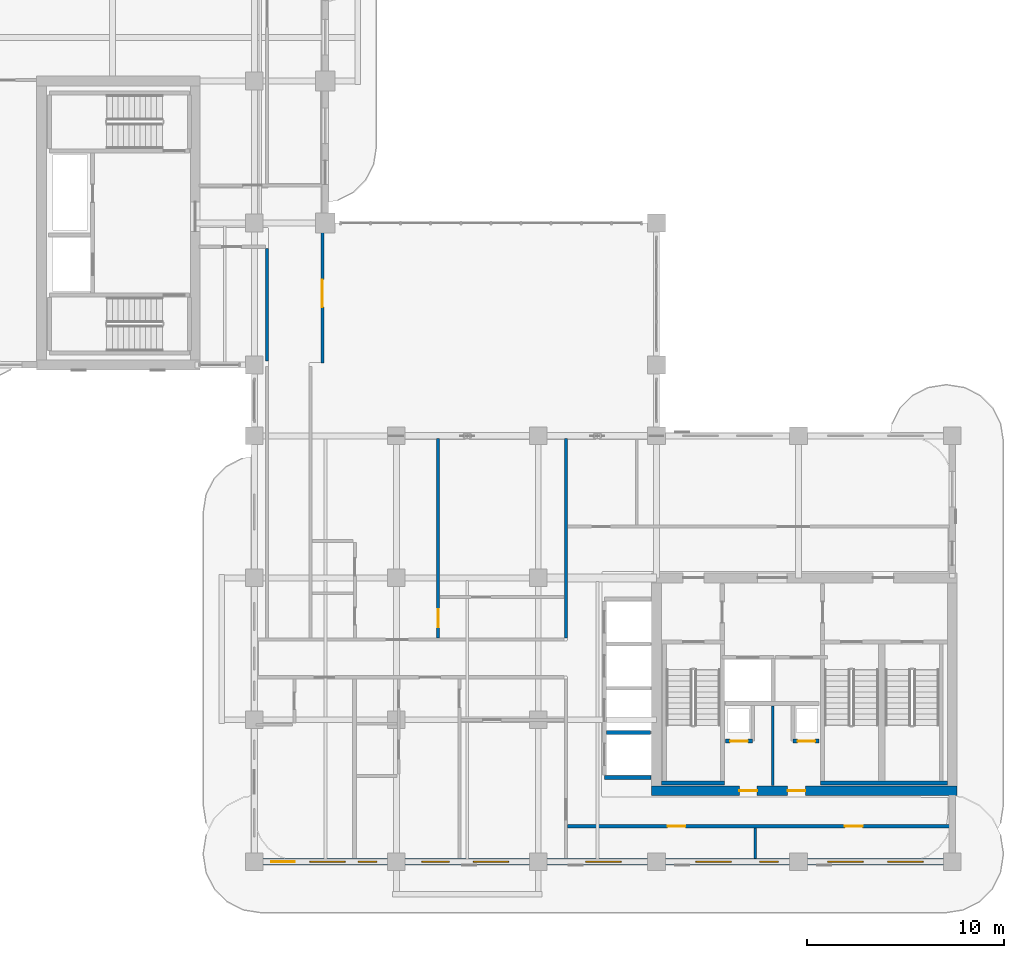
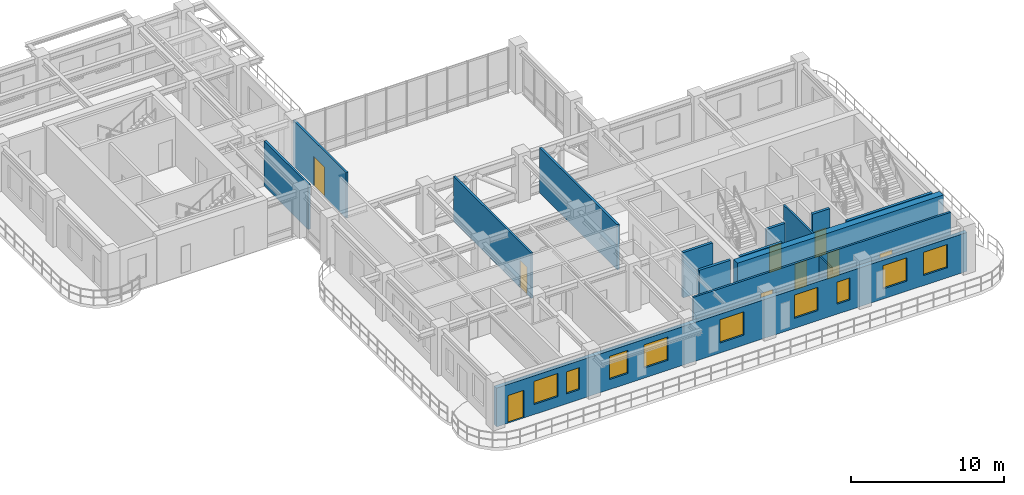
# One storey, part 11 of 19: 15 walls, 9 doors, 9 windows, 18 openings.
"""IFC4 building model written with IfcOpenShell, lengths in metres."""

from ifc_helpers import new_model, si_unit, derived_unit, direction, frame, frame_2d, origin, place, context, subcontext, project, spatial, rectangle, extrude, source, transform, mapped, material, layer, layer_set, type_object, type_shapes, element, fill, save


model = new_model("IFC4")

# Units and contexts
model_context = context("Model", 3, precision=1e-05, world=origin(), true_north=direction((0.0, 1.0)))
body_context = subcontext(model_context, "Body", "Model", "MODEL_VIEW")
ifc_project = project(units=[si_unit("LENGTHUNIT", "METRE"), si_unit("AREAUNIT", "SQUARE_METRE"), si_unit("VOLUMEUNIT", "CUBIC_METRE"), si_unit("PLANEANGLEUNIT", "RADIAN"), si_unit("MASSUNIT", "GRAM", prefix="KILO"), si_unit("THERMODYNAMICTEMPERATUREUNIT", "KELVIN"), si_unit("POWERUNIT", "WATT"), derived_unit("THERMALTRANSMITTANCEUNIT", [(si_unit("POWERUNIT", "WATT"), 1), (si_unit("AREAUNIT", "SQUARE_METRE"), -1), (si_unit("THERMODYNAMICTEMPERATUREUNIT", "KELVIN"), -1)])], contexts=[model_context])

# Site, building, storey
site_placement = place(None, origin())
site = spatial("IfcSite", under=ifc_project, at=site_placement, CompositionType="ELEMENT")
building_placement = place(site_placement, origin())
building = spatial("IfcBuilding", under=site, at=building_placement, Name="Zahravan Archway Hotel and Residences", CompositionType="ELEMENT")
storey_placement = place(building_placement, frame((0.0, 0.0, 201.89990234375)))
storey = spatial("IfcBuildingStorey", under=building, at=storey_placement, Name="L50", CompositionType="ELEMENT", Elevation=201.89990234375)

# Wall, openings, doors
ifc_material_1 = material(Name="Concrete C60/75", Category="concrete")
ifc_layer_1 = layer(ifc_material_1, 0.5, Name="Concrete C60/75", Category="concrete")
ifc_layer_set_1 = layer_set([ifc_layer_1], Name="Concrete C60/75")
wall_type_1 = type_object("IfcWallType", Name="CW-CORE-500", PredefinedType="SHEAR", material=ifc_layer_set_1)
wall_1_placement = place(storey_placement, frame((34.550048828125, 3.60009765625, 0.0), z_axis=(0.0, 0.0, 1.0), x_axis=(1.0, 0.0, 0.0)))
wall_1 = element("IfcWall", 1, at=wall_1_placement, inside=storey, type_object=wall_type_1, Name="L50 Core A Shear S Wall 500 mm", PredefinedType="SHEAR", context=body_context, shape_type="SweptSolid", body=[
    extrude(rectangle(XDim=15.5, YDim=0.5, at=frame_2d((7.75, 0.0))), origin(), (0.0, 0.0, 1.0), 3.85009765625),
])
opening_1_placement = place(wall_1_placement, frame((4.449951171875, 0.0, 0.0)))
opening_1 = element("IfcOpeningElement", 2, at=opening_1_placement, cuts=wall_1, Name="Opening FD-R1", PredefinedType="OPENING", context=body_context, shape_type="SweptSolid", body=[
    extrude(rectangle(XDim=0.89990234375, YDim=2.10009765625, at=frame_2d((0.449951171875, 1.050048828125))), frame((0.0, 0.260009765625, 0.0), z_axis=(0.0, -1.0, 0.0), x_axis=(1.0, 0.0, 0.0)), (0.0, 0.0, 1.0), 0.52001953125),
])
opening_2_placement = place(wall_1_placement, frame((6.89990234375, 0.0, 0.0)))
opening_2 = element("IfcOpeningElement", 3, at=opening_2_placement, cuts=wall_1, Name="Opening FD-R1", PredefinedType="OPENING", context=body_context, shape_type="SweptSolid", body=[
    extrude(rectangle(XDim=0.89990234375, YDim=2.10009765625, at=frame_2d((0.449951171875, 1.050048828125))), frame((0.0, 0.260009765625, 0.0), z_axis=(0.0, -1.0, 0.0), x_axis=(1.0, 0.0, 0.0)), (0.0, 0.0, 1.0), 0.52001953125),
])
ifc_material_2 = material(Name="Fire-Rated Painted Steel", Category="steel")
door_type_1 = type_object("IfcDoorType", Name="FD-RISER-900", OperationType="NOTDEFINED", PredefinedType="DOOR", material=ifc_material_2)
shared_shape_1 = source(origin(), body_context, "Body", "SweptSolid", [
    extrude(rectangle(XDim=0.89990234375, YDim=2.10009765625, at=frame_2d((0.449951171875, 1.050048828125))), frame((0.0, 0.02490234375, 0.0), z_axis=(0.0, -1.0, 0.0), x_axis=(1.0, 0.0, 0.0)), (0.0, 0.0, 1.0), 0.050048828125),
])
type_shapes(door_type_1, [shared_shape_1])
door_1_placement = place(opening_1_placement, origin())
door_1 = element("IfcDoor", 4, at=door_1_placement, inside=storey, type_object=door_type_1, Name="L50 Electrical Switchgear Door", OperationType="SINGLE_SWING_LEFT", OverallHeight=2.10009765625, OverallWidth=0.89990234375, PredefinedType="DOOR", context=body_context, shape_type="MappedRepresentation", body=[
    mapped(shared_shape_1, transform((0.0, 0.0, 0.0), scale=1.0)),
])
fill(opening_1, door_1)
door_2_placement = place(opening_2_placement, origin())
door_2 = element("IfcDoor", 5, at=door_2_placement, inside=storey, type_object=door_type_1, Name="L50 Telecom BMS Door", OperationType="SINGLE_SWING_RIGHT", OverallHeight=2.10009765625, OverallWidth=0.89990234375, PredefinedType="DOOR", context=body_context, shape_type="MappedRepresentation", body=[
    mapped(shared_shape_1, transform((0.0, 0.0, 0.0), scale=1.0)),
])
fill(opening_2, door_2)

# Wall, openings, door, windows
ifc_material_3 = material(Name="Agra Buff Sandstone & Insulated Backup", Category="masonry")
ifc_layer_2 = layer(ifc_material_3, 0.320068359375, Name="Agra Buff Sandstone & Insulated Backup", Category="masonry")
ifc_layer_set_2 = layer_set([ifc_layer_2], Name="Agra Buff Sandstone & Insulated Backup")
wall_type_2 = type_object("IfcWallType", Name="EW-SAND-320", PredefinedType="SOLIDWALL", material=ifc_layer_set_2)
wall_2_placement = place(storey_placement, frame((14.39990234375, 0.0, 0.0), z_axis=(0.0, 0.0, 1.0), x_axis=(1.0, 0.0, 0.0)))
wall_2 = element("IfcWall", 6, at=wall_2_placement, inside=storey, type_object=wall_type_2, Name="L50 Exterior Sandstone Wall WA-S", PredefinedType="SOLIDWALL", context=body_context, shape_type="SweptSolid", body=[
    extrude(rectangle(XDim=35.400146484375, YDim=0.320068359375, at=frame_2d((17.7001953125, 0.0))), origin(), (0.0, 0.0, 1.0), 3.085205078125),
])
opening_3_placement = place(wall_2_placement, frame((0.85009765625, 0.0, 0.0)))
opening_3 = element("IfcOpeningElement", 7, at=opening_3_placement, cuts=wall_2, Name="Opening ED-BL1", PredefinedType="OPENING", context=body_context, shape_type="SweptSolid", body=[
    extrude(rectangle(XDim=1.199951171875, YDim=2.199951171875, at=frame_2d((0.60009765625, 1.10009765625))), frame((0.0, 0.169921875, 0.0), z_axis=(0.0, -1.0, 0.0), x_axis=(1.0, 0.0, 0.0)), (0.0, 0.0, 1.0), 0.340087890625),
])
opening_4_placement = place(wall_2_placement, frame((2.81103515625, 0.0, 0.800048828125)))
opening_4 = element("IfcOpeningElement", 8, at=opening_4_placement, cuts=wall_2, Name="Opening W-02", PredefinedType="OPENING", context=body_context, shape_type="SweptSolid", body=[
    extrude(rectangle(XDim=1.800048828125, YDim=1.85009765625, at=frame_2d((0.89990234375, 0.925048828125))), frame((0.0, 0.169921875, 0.0), z_axis=(0.0, -1.0, 0.0), x_axis=(1.0, 0.0, 0.0)), (0.0, 0.0, 1.0), 0.340087890625),
])
opening_5_placement = place(wall_2_placement, frame((5.26904296875, 0.0, 0.800048828125)))
opening_5 = element("IfcOpeningElement", 9, at=opening_5_placement, cuts=wall_2, Name="Opening W-04", PredefinedType="OPENING", context=body_context, shape_type="SweptSolid", body=[
    extrude(rectangle(XDim=0.949951171875, YDim=1.75, at=frame_2d((0.47509765625, 0.875))), frame((0.0, 0.169921875, 0.0), z_axis=(0.0, -1.0, 0.0), x_axis=(1.0, 0.0, 0.0)), (0.0, 0.0, 1.0), 0.340087890625),
])
opening_6_placement = place(wall_2_placement, frame((8.49609375, 0.0, 0.800048828125)))
opening_6 = element("IfcOpeningElement", 10, at=opening_6_placement, cuts=wall_2, Name="Opening W-03", PredefinedType="OPENING", context=body_context, shape_type="SweptSolid", body=[
    extrude(rectangle(XDim=1.39990234375, YDim=1.85009765625, at=frame_2d((0.699951171875, 0.925048828125))), frame((0.0, 0.169921875, 0.0), z_axis=(0.0, -1.0, 0.0), x_axis=(1.0, 0.0, 0.0)), (0.0, 0.0, 1.0), 0.340087890625),
])
opening_7_placement = place(wall_2_placement, frame((11.10400390625, 0.0, 0.800048828125)))
opening_7 = element("IfcOpeningElement", 11, at=opening_7_placement, cuts=wall_2, Name="Opening W-02", PredefinedType="OPENING", context=body_context, shape_type="SweptSolid", body=[
    extrude(rectangle(XDim=1.800048828125, YDim=1.85009765625, at=frame_2d((0.89990234375, 0.925048828125))), frame((0.0, 0.169921875, 0.0), z_axis=(0.0, -1.0, 0.0), x_axis=(1.0, 0.0, 0.0)), (0.0, 0.0, 1.0), 0.340087890625),
])
opening_8_placement = place(wall_2_placement, frame((16.803955078125, 0.0, 0.800048828125)))
opening_8 = element("IfcOpeningElement", 12, at=opening_8_placement, cuts=wall_2, Name="Opening W-02", PredefinedType="OPENING", context=body_context, shape_type="SweptSolid", body=[
    extrude(rectangle(XDim=1.800048828125, YDim=1.85009765625, at=frame_2d((0.89990234375, 0.925048828125))), frame((0.0, 0.169921875, 0.0), z_axis=(0.0, -1.0, 0.0), x_axis=(1.0, 0.0, 0.0)), (0.0, 0.0, 1.0), 0.340087890625),
])
opening_9_placement = place(wall_2_placement, frame((22.39599609375, 0.0, 0.800048828125)))
opening_9 = element("IfcOpeningElement", 13, at=opening_9_placement, cuts=wall_2, Name="Opening W-02", PredefinedType="OPENING", context=body_context, shape_type="SweptSolid", body=[
    extrude(rectangle(XDim=1.800048828125, YDim=1.85009765625, at=frame_2d((0.89990234375, 0.925048828125))), frame((0.0, 0.169921875, 0.0), z_axis=(0.0, -1.0, 0.0), x_axis=(1.0, 0.0, 0.0)), (0.0, 0.0, 1.0), 0.340087890625),
])
opening_10_placement = place(wall_2_placement, frame((25.62890625, 0.0, 0.800048828125)))
opening_10 = element("IfcOpeningElement", 14, at=opening_10_placement, cuts=wall_2, Name="Opening W-04", PredefinedType="OPENING", context=body_context, shape_type="SweptSolid", body=[
    extrude(rectangle(XDim=0.949951171875, YDim=1.75, at=frame_2d((0.47509765625, 0.875))), frame((0.0, 0.169921875, 0.0), z_axis=(0.0, -1.0, 0.0), x_axis=(1.0, 0.0, 0.0)), (0.0, 0.0, 1.0), 0.340087890625),
])
opening_11_placement = place(wall_2_placement, frame((29.074951171875, 0.0, 0.800048828125)))
opening_11 = element("IfcOpeningElement", 15, at=opening_11_placement, cuts=wall_2, Name="Opening W-02", PredefinedType="OPENING", context=body_context, shape_type="SweptSolid", body=[
    extrude(rectangle(XDim=1.800048828125, YDim=1.85009765625, at=frame_2d((0.89990234375, 0.925048828125))), frame((0.0, 0.169921875, 0.0), z_axis=(0.0, -1.0, 0.0), x_axis=(1.0, 0.0, 0.0)), (0.0, 0.0, 1.0), 0.340087890625),
])
opening_12_placement = place(wall_2_placement, frame((32.125, 0.0, 0.800048828125)))
opening_12 = element("IfcOpeningElement", 16, at=opening_12_placement, cuts=wall_2, Name="Opening W-02", PredefinedType="OPENING", context=body_context, shape_type="SweptSolid", body=[
    extrude(rectangle(XDim=1.800048828125, YDim=1.85009765625, at=frame_2d((0.89990234375, 0.925048828125))), frame((0.0, 0.169921875, 0.0), z_axis=(0.0, -1.0, 0.0), x_axis=(1.0, 0.0, 0.0)), (0.0, 0.0, 1.0), 0.340087890625),
])
ifc_material_4 = material(Name="Bronze-Anodized Glazed Aluminium", Category="aluminium")
door_type_2 = type_object("IfcDoorType", Name="ED-BALC-1200", OperationType="SLIDING_TO_LEFT", PredefinedType="DOOR", material=ifc_material_4)
shared_shape_2 = source(origin(), body_context, "Body", "SweptSolid", [
    extrude(rectangle(XDim=1.199951171875, YDim=2.199951171875, at=frame_2d((0.60009765625, 1.10009765625))), frame((0.0, 0.02490234375, 0.0), z_axis=(0.0, -1.0, 0.0), x_axis=(1.0, 0.0, 0.0)), (0.0, 0.0, 1.0), 0.050048828125),
])
type_shapes(door_type_2, [shared_shape_2])
door_3_placement = place(opening_3_placement, origin())
door_3 = element("IfcDoor", 17, at=door_3_placement, inside=storey, type_object=door_type_2, Name="L50 Outdoor Access Sliding Door (SLB-BAL-L50-SA)", OperationType="SLIDING_TO_LEFT", OverallHeight=2.199951171875, OverallWidth=1.199951171875, PredefinedType="DOOR", context=body_context, shape_type="MappedRepresentation", body=[
    mapped(shared_shape_2, transform((0.0, 0.0, 0.0), scale=1.0)),
])
fill(opening_3, door_3)
ifc_material_5 = material(Name="Bronze-Anodized Thermal-Break Aluminium & Low-E Glass", Category="aluminium")
window_type_1 = type_object("IfcWindowType", Name="WIN-TWR-1400", PartitioningType="SINGLE_PANEL", PredefinedType="WINDOW", material=ifc_material_5)
shared_shape_3 = source(origin(), body_context, "Body", "SweptSolid", [
    extrude(rectangle(XDim=1.39990234375, YDim=1.85009765625, at=frame_2d((0.699951171875, 0.925048828125))), frame((0.0, 0.030029296875, 0.0), z_axis=(0.0, -1.0, 0.0), x_axis=(1.0, 0.0, 0.0)), (0.0, 0.0, 1.0), 0.06005859375),
])
type_shapes(window_type_1, [shared_shape_3])
window_1_placement = place(opening_6_placement, origin())
window_1 = element("IfcWindow", 18, at=window_1_placement, inside=storey, type_object=window_type_1, Name="L50 Loggia Window 03", OverallHeight=1.85009765625, OverallWidth=1.39990234375, PartitioningType="SINGLE_PANEL", PredefinedType="WINDOW", context=body_context, shape_type="MappedRepresentation", body=[
    mapped(shared_shape_3, transform((0.0, 0.0, 0.0), scale=1.0)),
])
fill(opening_6, window_1)
window_type_2 = type_object("IfcWindowType", Name="WIN-NAR-950", PartitioningType="SINGLE_PANEL", PredefinedType="WINDOW", material=ifc_material_5)
shared_shape_4 = source(origin(), body_context, "Body", "SweptSolid", [
    extrude(rectangle(XDim=0.949951171875, YDim=1.75, at=frame_2d((0.47509765625, 0.875))), frame((0.0, 0.030029296875, 0.0), z_axis=(0.0, -1.0, 0.0), x_axis=(1.0, 0.0, 0.0)), (0.0, 0.0, 1.0), 0.06005859375),
])
type_shapes(window_type_2, [shared_shape_4])
window_2_placement = place(opening_5_placement, origin())
window_2 = element("IfcWindow", 19, at=window_2_placement, inside=storey, type_object=window_type_2, Name="L50 Loggia Window 02", OverallHeight=1.75, OverallWidth=0.949951171875, PartitioningType="SINGLE_PANEL", PredefinedType="WINDOW", context=body_context, shape_type="MappedRepresentation", body=[
    mapped(shared_shape_4, transform((0.0, 0.0, 0.0), scale=1.0)),
])
fill(opening_5, window_2)
window_3_placement = place(opening_10_placement, origin())
window_3 = element("IfcWindow", 20, at=window_3_placement, inside=storey, type_object=window_type_2, Name="L50 Loggia Window 07", OverallHeight=1.75, OverallWidth=0.949951171875, PartitioningType="SINGLE_PANEL", PredefinedType="WINDOW", context=body_context, shape_type="MappedRepresentation", body=[
    mapped(shared_shape_4, transform((0.0, 0.0, 0.0), scale=1.0)),
])
fill(opening_10, window_3)
window_type_3 = type_object("IfcWindowType", Name="WIN-TWR-1800", PartitioningType="DOUBLE_PANEL_VERTICAL", PredefinedType="WINDOW", material=ifc_material_5)
shared_shape_5 = source(origin(), body_context, "Body", "SweptSolid", [
    extrude(rectangle(XDim=1.800048828125, YDim=1.85009765625, at=frame_2d((0.89990234375, 0.925048828125))), frame((0.0, 0.030029296875, 0.0), z_axis=(0.0, -1.0, 0.0), x_axis=(1.0, 0.0, 0.0)), (0.0, 0.0, 1.0), 0.06005859375),
])
type_shapes(window_type_3, [shared_shape_5])
window_4_placement = place(opening_4_placement, origin())
window_4 = element("IfcWindow", 21, at=window_4_placement, inside=storey, type_object=window_type_3, Name="L50 Loggia Window 01", OverallHeight=1.85009765625, OverallWidth=1.800048828125, PartitioningType="DOUBLE_PANEL_VERTICAL", PredefinedType="WINDOW", context=body_context, shape_type="MappedRepresentation", body=[
    mapped(shared_shape_5, transform((0.0, 0.0, 0.0), scale=1.0)),
])
fill(opening_4, window_4)
window_5_placement = place(opening_7_placement, origin())
window_5 = element("IfcWindow", 22, at=window_5_placement, inside=storey, type_object=window_type_3, Name="L50 Loggia Window 04", OverallHeight=1.85009765625, OverallWidth=1.800048828125, PartitioningType="DOUBLE_PANEL_VERTICAL", PredefinedType="WINDOW", context=body_context, shape_type="MappedRepresentation", body=[
    mapped(shared_shape_5, transform((0.0, 0.0, 0.0), scale=1.0)),
])
fill(opening_7, window_5)
window_6_placement = place(opening_8_placement, origin())
window_6 = element("IfcWindow", 23, at=window_6_placement, inside=storey, type_object=window_type_3, Name="L50 Loggia Window 05", OverallHeight=1.85009765625, OverallWidth=1.800048828125, PartitioningType="DOUBLE_PANEL_VERTICAL", PredefinedType="WINDOW", context=body_context, shape_type="MappedRepresentation", body=[
    mapped(shared_shape_5, transform((0.0, 0.0, 0.0), scale=1.0)),
])
fill(opening_8, window_6)
window_7_placement = place(opening_9_placement, origin())
window_7 = element("IfcWindow", 24, at=window_7_placement, inside=storey, type_object=window_type_3, Name="L50 Loggia Window 06", OverallHeight=1.85009765625, OverallWidth=1.800048828125, PartitioningType="DOUBLE_PANEL_VERTICAL", PredefinedType="WINDOW", context=body_context, shape_type="MappedRepresentation", body=[
    mapped(shared_shape_5, transform((0.0, 0.0, 0.0), scale=1.0)),
])
fill(opening_9, window_7)
window_8_placement = place(opening_11_placement, origin())
window_8 = element("IfcWindow", 25, at=window_8_placement, inside=storey, type_object=window_type_3, Name="L50 Loggia Window 08", OverallHeight=1.85009765625, OverallWidth=1.800048828125, PartitioningType="DOUBLE_PANEL_VERTICAL", PredefinedType="WINDOW", context=body_context, shape_type="MappedRepresentation", body=[
    mapped(shared_shape_5, transform((0.0, 0.0, 0.0), scale=1.0)),
])
fill(opening_11, window_8)
window_9_placement = place(opening_12_placement, origin())
window_9 = element("IfcWindow", 26, at=window_9_placement, inside=storey, type_object=window_type_3, Name="L50 Loggia Window 09", OverallHeight=1.85009765625, OverallWidth=1.800048828125, PartitioningType="DOUBLE_PANEL_VERTICAL", PredefinedType="WINDOW", context=body_context, shape_type="MappedRepresentation", body=[
    mapped(shared_shape_5, transform((0.0, 0.0, 0.0), scale=1.0)),
])
fill(opening_12, window_9)

# Wall
ifc_material_6 = material(Name="Fire-Rated Gypsum & Concrete Block", Category="concrete")
ifc_layer_3 = layer(ifc_material_6, 0.159912109375, Name="Fire-Rated Gypsum & Concrete Block", Category="concrete")
ifc_layer_set_3 = layer_set([ifc_layer_3], Name="Fire-Rated Gypsum & Concrete Block")
wall_type_3 = type_object("IfcWallType", Name="PW-CORR-160", PredefinedType="PARTITIONING", material=ifc_layer_set_3)
wall_3_placement = place(storey_placement, frame((30.199951171875, 11.360107421875, 0.0), z_axis=(0.0, 0.0, 1.0), x_axis=(0.0, 1.0, 0.0)))
element("IfcWall", 27, at=wall_3_placement, inside=storey, type_object=wall_type_3, Name="L50 Partition WA-FW", PredefinedType="PARTITIONING", context=body_context, shape_type="SweptSolid", body=[
    extrude(rectangle(XDim=10.099853515625, YDim=0.159912109375, at=frame_2d((5.0498046875, 0.0))), origin(), (0.0, 0.0, 1.0), 3.60009765625),
])

# Wall, openings, doors
wall_4_placement = place(storey_placement, frame((30.2900390625, 1.800048828125, 0.0), z_axis=(0.0, 0.0, 1.0), x_axis=(1.0, 0.0, 0.0)))
wall_4 = element("IfcWall", 28, at=wall_4_placement, inside=storey, type_object=wall_type_3, Name="L50 Partition WA-SRS", PredefinedType="PARTITIONING", context=body_context, shape_type="SweptSolid", body=[
    extrude(rectangle(XDim=19.369873046875, YDim=0.159912109375, at=frame_2d((9.68505859375, 0.0))), origin(), (0.0, 0.0, 1.0), 3.60009765625),
])
opening_13_placement = place(wall_4_placement, frame((5.07421875, 0.0, 0.0)))
opening_13 = element("IfcOpeningElement", 29, at=opening_13_placement, cuts=wall_4, Name="Opening D-I2", PredefinedType="OPENING", context=body_context, shape_type="SweptSolid", body=[
    extrude(rectangle(XDim=0.89990234375, YDim=2.14990234375, at=frame_2d((0.449951171875, 1.074951171875))), frame((0.0, 0.08984375, 0.0), z_axis=(0.0, -1.0, 0.0), x_axis=(1.0, 0.0, 0.0)), (0.0, 0.0, 1.0), 0.179931640625),
])
opening_14_placement = place(wall_4_placement, frame((14.06005859375, 0.0, 0.0)))
opening_14 = element("IfcOpeningElement", 30, at=opening_14_placement, cuts=wall_4, Name="Opening D-I2", PredefinedType="OPENING", context=body_context, shape_type="SweptSolid", body=[
    extrude(rectangle(XDim=0.89990234375, YDim=2.14990234375, at=frame_2d((0.449951171875, 1.074951171875))), frame((0.0, 0.08984375, 0.0), z_axis=(0.0, -1.0, 0.0), x_axis=(1.0, 0.0, 0.0)), (0.0, 0.0, 1.0), 0.179931640625),
])
ifc_material_7 = material(Name="Hardwood Veneer Timber", Category="wood")
door_type_3 = type_object("IfcDoorType", Name="ID-INT-900", OperationType="NOTDEFINED", PredefinedType="DOOR", material=ifc_material_7)
shared_shape_6 = source(origin(), body_context, "Body", "SweptSolid", [
    extrude(rectangle(XDim=0.89990234375, YDim=2.14990234375, at=frame_2d((0.449951171875, 1.074951171875))), frame((0.0, 0.02490234375, 0.0), z_axis=(0.0, -1.0, 0.0), x_axis=(1.0, 0.0, 0.0)), (0.0, 0.0, 1.0), 0.050048828125),
])
type_shapes(door_type_3, [shared_shape_6])
door_4_placement = place(opening_13_placement, origin())
door_4 = element("IfcDoor", 31, at=door_4_placement, inside=storey, type_object=door_type_3, Name="L50 South Study Door", OperationType="SINGLE_SWING_LEFT", OverallHeight=2.14990234375, OverallWidth=0.89990234375, PredefinedType="DOOR", context=body_context, shape_type="MappedRepresentation", body=[
    mapped(shared_shape_6, transform((0.0, 0.0, 0.0), scale=1.0)),
])
fill(opening_13, door_4)
door_5_placement = place(opening_14_placement, origin())
door_5 = element("IfcDoor", 32, at=door_5_placement, inside=storey, type_object=door_type_3, Name="L50 South Pantry Door", OperationType="SINGLE_SWING_RIGHT", OverallHeight=2.14990234375, OverallWidth=0.89990234375, PredefinedType="DOOR", context=body_context, shape_type="MappedRepresentation", body=[
    mapped(shared_shape_6, transform((0.0, 0.0, 0.0), scale=1.0)),
])
fill(opening_14, door_5)

# Wall
wall_5_placement = place(storey_placement, frame((15.050048828125, 25.389892578125, 0.0), z_axis=(0.0, 0.0, 1.0), x_axis=(0.0, 1.0, 0.0)))
element("IfcWall", 33, at=wall_5_placement, inside=storey, type_object=wall_type_3, Name="L50 Partition FB1-E", PredefinedType="PARTITIONING", context=body_context, shape_type="SweptSolid", body=[
    extrude(rectangle(XDim=5.72021484375, YDim=0.159912109375, at=frame_2d((2.860107421875, 0.0))), origin(), (0.0, 0.0, 1.0), 3.60009765625),
])

# Wall, opening, door
wall_6_placement = place(storey_placement, frame((17.85009765625, 25.2900390625, 0.0), z_axis=(0.0, 0.0, 1.0), x_axis=(0.0, 1.0, 0.0)))
wall_6 = element("IfcWall", 34, at=wall_6_placement, inside=storey, type_object=wall_type_3, Name="L50 Partition SBG-W", PredefinedType="PARTITIONING", context=body_context, shape_type="SweptSolid", body=[
    extrude(rectangle(XDim=6.919921875, YDim=0.159912109375, at=frame_2d((3.4599609375, 0.0))), origin(), (0.0, 0.0, 1.0), 3.60009765625),
])
opening_15_placement = place(wall_6_placement, frame((2.8349609375, 0.0, 0.0)))
opening_15 = element("IfcOpeningElement", 35, at=opening_15_placement, cuts=wall_6, Name="Opening D-P1", PredefinedType="OPENING", context=body_context, shape_type="SweptSolid", body=[
    extrude(rectangle(XDim=1.39990234375, YDim=2.35009765625, at=frame_2d((0.699951171875, 1.175048828125))), frame((0.0, 0.08984375, 0.0), z_axis=(0.0, -1.0, 0.0), x_axis=(1.0, 0.0, 0.0)), (0.0, 0.0, 1.0), 0.179931640625),
])
door_type_4 = type_object("IfcDoorType", Name="ID-PUBLIC-1400", OperationType="DOUBLE_DOOR_SINGLE_SWING", PredefinedType="DOOR", material=ifc_material_4)
shared_shape_7 = source(origin(), body_context, "Body", "SweptSolid", [
    extrude(rectangle(XDim=1.39990234375, YDim=2.35009765625, at=frame_2d((0.699951171875, 1.175048828125))), frame((0.0, 0.02490234375, 0.0), z_axis=(0.0, -1.0, 0.0), x_axis=(1.0, 0.0, 0.0)), (0.0, 0.0, 1.0), 0.050048828125),
])
type_shapes(door_type_4, [shared_shape_7])
door_6_placement = place(opening_15_placement, origin())
door_6 = element("IfcDoor", 36, at=door_6_placement, inside=storey, type_object=door_type_4, Name="L50 Sky-Bridge Salon Door", OperationType="DOUBLE_DOOR_SINGLE_SWING", OverallHeight=2.35009765625, OverallWidth=1.39990234375, PredefinedType="DOOR", context=body_context, shape_type="MappedRepresentation", body=[
    mapped(shared_shape_7, transform((0.0, 0.0, 0.0), scale=1.0)),
])
fill(opening_15, door_6)

# Wall
ifc_material_8 = material(Name="Acoustic Stud Partition")
ifc_layer_4 = layer(ifc_material_8, 0.125, Name="Acoustic Stud Partition")
ifc_layer_set_4 = layer_set([ifc_layer_4], Name="Acoustic Stud Partition")
wall_type_4 = type_object("IfcWallType", Name="PW-INT-125", PredefinedType="PARTITIONING", material=ifc_layer_set_4)
wall_7_placement = place(storey_placement, frame((39.800048828125, 0.16796875, 0.0), z_axis=(0.0, 0.0, 1.0), x_axis=(0.0, 1.0, 0.0)))
element("IfcWall", 37, at=wall_7_placement, inside=storey, type_object=wall_type_4, Name="L50 Partition S-DIV1", PredefinedType="PARTITIONING", context=body_context, shape_type="SweptSolid", body=[
    extrude(rectangle(XDim=1.5419921875, YDim=0.125, at=frame_2d((0.77099609375, 0.0))), origin(), (0.0, 0.0, 1.0), 3.60009765625),
])

# Wall, opening, door
ifc_layer_5 = layer(ifc_material_6, 0.199951171875, Name="Fire-Rated Gypsum & Concrete Block", Category="concrete")
ifc_layer_set_5 = layer_set([ifc_layer_5], Name="Fire-Rated Gypsum & Concrete Block")
wall_type_5 = type_object("IfcWallType", Name="PW-SHAFT-200", PredefinedType="PARTITIONING", material=ifc_layer_set_5)
wall_8_placement = place(storey_placement, frame((38.2900390625, 6.1201171875, 0.0), z_axis=(0.0, 0.0, 1.0), x_axis=(1.0, 0.0, 0.0)))
wall_8 = element("IfcWall", 38, at=wall_8_placement, inside=storey, type_object=wall_type_5, Name="L50 Partition CA-SMKS", PredefinedType="PARTITIONING", context=body_context, shape_type="SweptSolid", body=[
    extrude(rectangle(XDim=1.3798828125, YDim=0.199951171875, at=frame_2d((0.68994140625, 0.0))), origin(), (0.0, 0.0, 1.0), 3.60009765625),
])
opening_16_placement = place(wall_8_placement, frame((0.239990234375, 0.0, 0.0)))
opening_16 = element("IfcOpeningElement", 39, at=opening_16_placement, cuts=wall_8, Name="Opening FD-R1", PredefinedType="OPENING", context=body_context, shape_type="SweptSolid", body=[
    extrude(rectangle(XDim=0.89990234375, YDim=2.10009765625, at=frame_2d((0.449951171875, 1.050048828125))), frame((0.0, 0.10986328125, 0.0), z_axis=(0.0, -1.0, 0.0), x_axis=(1.0, 0.0, 0.0)), (0.0, 0.0, 1.0), 0.219970703125),
])
door_7_placement = place(opening_16_placement, origin())
door_7 = element("IfcDoor", 40, at=door_7_placement, inside=storey, type_object=door_type_1, Name="L50 Smoke Riser Access Door", OperationType="SINGLE_SWING_LEFT", OverallHeight=2.10009765625, OverallWidth=0.89990234375, PredefinedType="DOOR", context=body_context, shape_type="MappedRepresentation", body=[
    mapped(shared_shape_1, transform((0.0, 0.0, 0.0), scale=1.0)),
])
fill(opening_16, door_7)

wall_9_placement = place(storey_placement, frame((41.72998046875, 6.1201171875, 0.0), z_axis=(0.0, 0.0, 1.0), x_axis=(1.0, 0.0, 0.0)))
wall_9 = element("IfcWall", 41, at=wall_9_placement, inside=storey, type_object=wall_type_5, Name="L50 Partition CA-MEPS", PredefinedType="PARTITIONING", context=body_context, shape_type="SweptSolid", body=[
    extrude(rectangle(XDim=1.320068359375, YDim=0.199951171875, at=frame_2d((0.66015625, 0.0))), origin(), (0.0, 0.0, 1.0), 3.60009765625),
])
opening_17_placement = place(wall_9_placement, frame((0.219970703125, 0.0, 0.0)))
opening_17 = element("IfcOpeningElement", 42, at=opening_17_placement, cuts=wall_9, Name="Opening FD-R1", PredefinedType="OPENING", context=body_context, shape_type="SweptSolid", body=[
    extrude(rectangle(XDim=0.89990234375, YDim=2.10009765625, at=frame_2d((0.449951171875, 1.050048828125))), frame((0.0, 0.10986328125, 0.0), z_axis=(0.0, -1.0, 0.0), x_axis=(1.0, 0.0, 0.0)), (0.0, 0.0, 1.0), 0.219970703125),
])
door_8_placement = place(opening_17_placement, origin())
door_8 = element("IfcDoor", 43, at=door_8_placement, inside=storey, type_object=door_type_1, Name="L50 MEP Riser Access Door", OperationType="SINGLE_SWING_RIGHT", OverallHeight=2.10009765625, OverallWidth=0.89990234375, PredefinedType="DOOR", context=body_context, shape_type="MappedRepresentation", body=[
    mapped(shared_shape_1, transform((0.0, 0.0, 0.0), scale=1.0)),
])
fill(opening_17, door_8)

# Walls
wall_10_placement = place(storey_placement, frame((32.159912109375, 4.280029296875, 0.0), z_axis=(0.0, 0.0, 1.0), x_axis=(1.0, 0.0, 0.0)))
element("IfcWall", 44, at=wall_10_placement, inside=storey, type_object=wall_type_5, Name="L50 Partition B3-S", PredefinedType="PARTITIONING", context=body_context, shape_type="SweptSolid", body=[
    extrude(rectangle(XDim=2.360107421875, YDim=0.199951171875, at=frame_2d((1.18017578125, 0.0))), origin(), (0.0, 0.0, 1.0), 3.60009765625),
])
wall_11_placement = place(storey_placement, frame((32.260009765625, 6.56005859375, 0.0), z_axis=(0.0, 0.0, 1.0), x_axis=(1.0, 0.0, 0.0)))
element("IfcWall", 45, at=wall_11_placement, inside=storey, type_object=wall_type_5, Name="L50 Partition B3-D", PredefinedType="PARTITIONING", context=body_context, shape_type="SweptSolid", body=[
    extrude(rectangle(XDim=2.22998046875, YDim=0.199951171875, at=frame_2d((1.114990234375, 0.0))), origin(), (0.0, 0.0, 1.0), 3.60009765625),
])

# Wall, opening, door
ifc_layer_6 = layer(ifc_material_8, 0.14990234375, Name="Acoustic Stud Partition")
ifc_layer_set_6 = layer_set([ifc_layer_6], Name="Acoustic Stud Partition")
wall_type_6 = type_object("IfcWallType", Name="PW-UNIT-150", PredefinedType="PARTITIONING", material=ifc_layer_set_6)
wall_12_placement = place(storey_placement, frame((23.719970703125, 11.360107421875, 0.0), z_axis=(0.0, 0.0, 1.0), x_axis=(0.0, 1.0, 0.0)))
wall_12 = element("IfcWall", 46, at=wall_12_placement, inside=storey, type_object=wall_type_6, Name="L50 Partition FL-HN1-SP", PredefinedType="PARTITIONING", context=body_context, shape_type="SweptSolid", body=[
    extrude(rectangle(XDim=10.099853515625, YDim=0.14990234375, at=frame_2d((5.0498046875, 0.0))), origin(), (0.0, 0.0, 1.0), 3.60009765625),
])
opening_18_placement = place(wall_12_placement, frame((0.534912109375, 0.0, 0.0)))
opening_18 = element("IfcOpeningElement", 47, at=opening_18_placement, cuts=wall_12, Name="Opening D-I2", PredefinedType="OPENING", context=body_context, shape_type="SweptSolid", body=[
    extrude(rectangle(XDim=0.89990234375, YDim=2.14990234375, at=frame_2d((0.449951171875, 1.074951171875))), frame((0.0, 0.0849609375, 0.0), z_axis=(0.0, -1.0, 0.0), x_axis=(1.0, 0.0, 0.0)), (0.0, 0.0, 1.0), 0.169921875),
])
door_9_placement = place(opening_18_placement, origin())
door_9 = element("IfcDoor", 48, at=door_9_placement, inside=storey, type_object=door_type_3, Name="L50 Flat HN1 Bedroom Hall Door", OperationType="SINGLE_SWING_LEFT", OverallHeight=2.14990234375, OverallWidth=0.89990234375, PredefinedType="DOOR", context=body_context, shape_type="MappedRepresentation", body=[
    mapped(shared_shape_6, transform((0.0, 0.0, 0.0), scale=1.0)),
])
fill(opening_18, door_9)

# Walls
ifc_material_9 = material(Name="Moisture-Resistant Blockwork", Category="masonry")
ifc_layer_7 = layer(ifc_material_9, 0.139892578125, Name="Moisture-Resistant Blockwork", Category="masonry")
ifc_layer_set_7 = layer_set([ifc_layer_7], Name="Moisture-Resistant Blockwork")
wall_type_7 = type_object("IfcWallType", Name="PW-WET-140", PredefinedType="PARTITIONING", material=ifc_layer_set_7)
wall_13_placement = place(storey_placement, frame((40.699951171875, 3.8701171875, 0.0), z_axis=(0.0, 0.0, 1.0), x_axis=(0.0, 1.0, 0.0)))
element("IfcWall", 49, at=wall_13_placement, inside=storey, type_object=wall_type_7, Name="L50 Partition CA-CV0", PredefinedType="PARTITIONING", context=body_context, shape_type="SweptSolid", body=[
    extrude(rectangle(XDim=4.039794921875, YDim=0.139892578125, at=frame_2d((2.02001953125, 0.0))), origin(), (0.0, 0.0, 1.0), 3.60009765625),
])
ifc_material_10 = material(Name="Concrete C50/60", Category="concrete")
ifc_layer_8 = layer(ifc_material_10, 0.199951171875, Name="Concrete C50/60", Category="concrete")
ifc_layer_set_8 = layer_set([ifc_layer_8], Name="Concrete C50/60")
wall_type_8 = type_object("IfcWallType", Name="SW-STAIR-200", PredefinedType="SHEAR", material=ifc_layer_set_8)
wall_14_placement = place(storey_placement, frame((35.050048828125, 4.0, 0.0), z_axis=(0.0, 0.0, 1.0), x_axis=(1.0, 0.0, 0.0)))
element("IfcWall", 50, at=wall_14_placement, inside=storey, type_object=wall_type_8, Name="L50 Stairwell RC Wall CA-SA1S", PredefinedType="SHEAR", context=body_context, shape_type="SweptSolid", body=[
    extrude(rectangle(XDim=3.18994140625, YDim=0.199951171875, at=frame_2d((1.594970703125, 0.0))), origin(), (0.0, 0.0, 1.0), 3.85009765625),
])
wall_15_placement = place(storey_placement, frame((43.1201171875, 4.0, 0.0), z_axis=(0.0, 0.0, 1.0), x_axis=(1.0, 0.0, 0.0)))
element("IfcWall", 51, at=wall_15_placement, inside=storey, type_object=wall_type_8, Name="L50 Stairwell RC Wall CA-SA23S", PredefinedType="SHEAR", context=body_context, shape_type="SweptSolid", body=[
    extrude(rectangle(XDim=6.429931640625, YDim=0.199951171875, at=frame_2d((3.21484375, 0.0))), origin(), (0.0, 0.0, 1.0), 3.85009765625),
])

save(model, "model.ifc")
